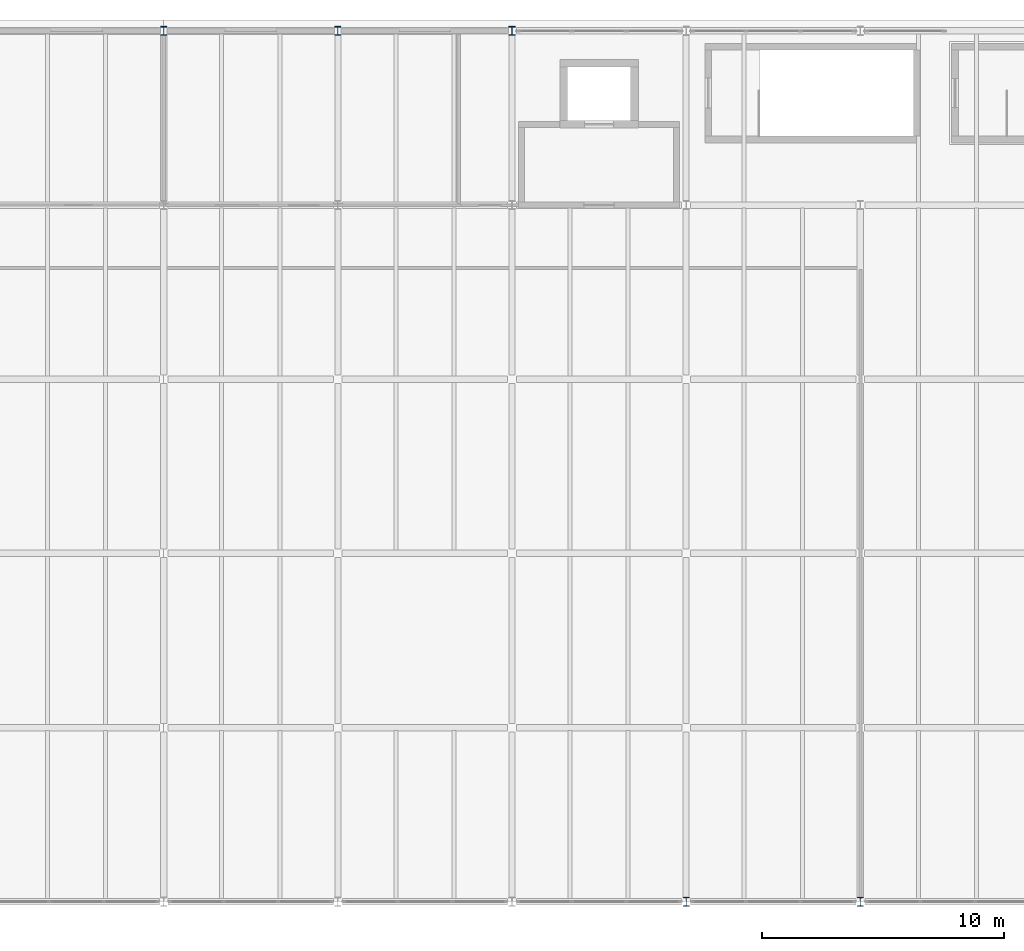
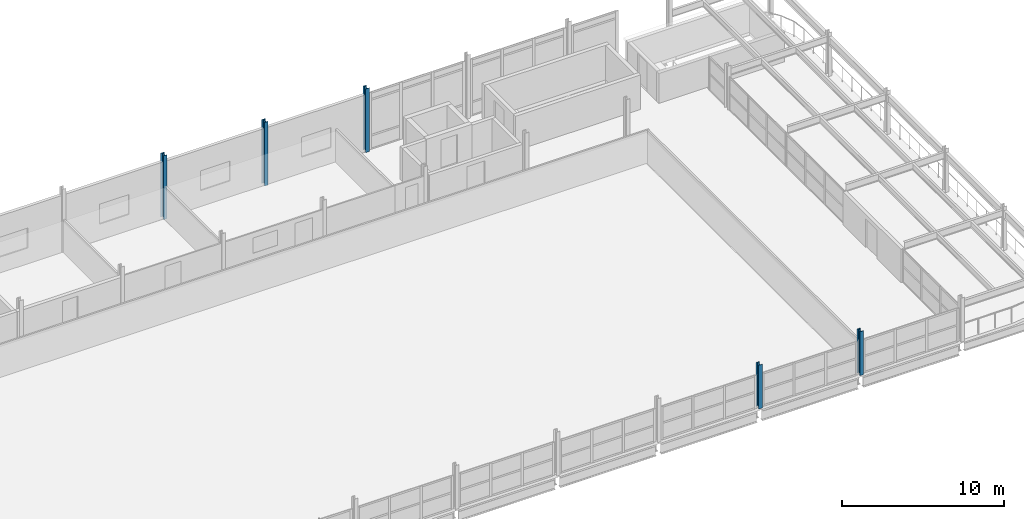
# One storey, part 4 of 25: 5 columns.
"""IFC4 building model written with IfcOpenShell, lengths in metres."""

from ifc_helpers import new_model, si_unit, direction, frame, origin, origin_2d, place, context, subcontext, project, spatial, i_section, extrude, material, material_profile, profile_set, type_object, element, save


model = new_model("IFC4")

# Units and contexts
model_context = context("Model", 3, precision=1e-05, world=origin(), true_north=direction((0.0, 1.0)))
body_context = subcontext(model_context, "Body", "Model", "MODEL_VIEW")
ifc_project = project(units=[si_unit("LENGTHUNIT", "METRE"), si_unit("AREAUNIT", "SQUARE_METRE"), si_unit("VOLUMEUNIT", "CUBIC_METRE"), si_unit("PLANEANGLEUNIT", "RADIAN"), si_unit("MASSUNIT", "GRAM", prefix="KILO")], contexts=[model_context])

# Site, building, storey
site_placement = place(None, origin())
site = spatial("IfcSite", under=ifc_project, at=site_placement, CompositionType="ELEMENT")
building_placement = place(site_placement, origin())
building = spatial("IfcBuilding", under=site, at=building_placement, Name="Vaelcorin Mobility Hub", CompositionType="ELEMENT")
storey_placement = place(building_placement, frame((0.0, 0.0, 21.0)))
storey = spatial("IfcBuildingStorey", under=building, at=storey_placement, Name="L05", CompositionType="ELEMENT", Elevation=21.0)

# Columns
ifc_material = material(Name="Steel ASTM A992 Grade 50", Category="steel")
ifc_material_profile = material_profile(ifc_material, i_section(OverallWidth=0.257080078125, OverallDepth=0.363037109375, WebThickness=0.012939453125, FlangeThickness=0.021728515625, FilletRadius=0.014892578125, at=origin_2d()), Name="W14X82")
ifc_profile_set = profile_set([ifc_material_profile], Name="Steel ASTM A992 Grade 50")
column_type = type_object("IfcColumnType", Name="COL-W14X82", PredefinedType="COLUMN", material=ifc_profile_set)
for number, where, z_axis, x_axis, name in (
    (1, (79.199951171875, 120.0, 0.0), (0.0, 0.0, 1.0), (1.0, 0.0, 0.0), "Column V4-X07Y07 L05"),
    (2, (86.39990234375, 120.0, 0.0), (0.0, 0.0, 1.0), (1.0, 0.0, 0.0), "Column V4-X08Y07 L05"),
    (3, (93.60009765625, 120.0, 0.0), (0.0, 0.0, 1.0), (1.0, 0.0, 0.0), "Column V4-X09Y07 L05"),
):
    element("IfcColumn", number, at=place(storey_placement, frame(where, z_axis=z_axis, x_axis=x_axis)), inside=storey, type_object=column_type, Name=name, PredefinedType="COLUMN", context=body_context, shape_type="SweptSolid", body=[
        extrude(i_section(OverallWidth=0.257080078125, OverallDepth=0.363037109375, WebThickness=0.012939453125, FlangeThickness=0.021728515625, FilletRadius=0.014892578125, at=origin_2d()), origin(), (0.0, 0.0, 1.0), 4.800048828125),
    ])
for number, where, z_axis, x_axis, name in (
    (4, (100.800048828125, 84.0, 0.0), (0.0, 0.0, 1.0), (1.0, 0.0, 0.0), "Column V4-X10Y02 L05"),
    (5, (108.0, 84.0, 0.0), (0.0, 0.0, 1.0), (1.0, 0.0, 0.0), "Column V4-X11Y02 L05"),
):
    element("IfcColumn", number, at=place(storey_placement, frame(where, z_axis=z_axis, x_axis=x_axis)), inside=storey, type_object=column_type, Name=name, PredefinedType="COLUMN", context=body_context, shape_type="SweptSolid", body=[
        extrude(i_section(OverallWidth=0.257080078125, OverallDepth=0.363037109375, WebThickness=0.012939453125, FlangeThickness=0.021728515625, FilletRadius=0.014892578125, at=origin_2d()), origin(), (0.0, 0.0, 1.0), 3.300048828125),
    ])

save(model, "model.ifc")
